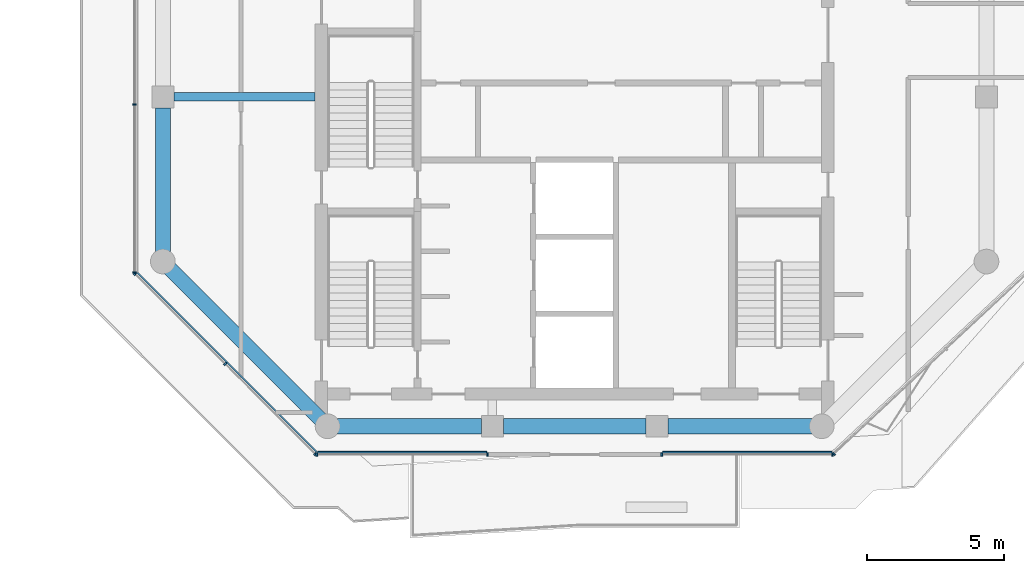
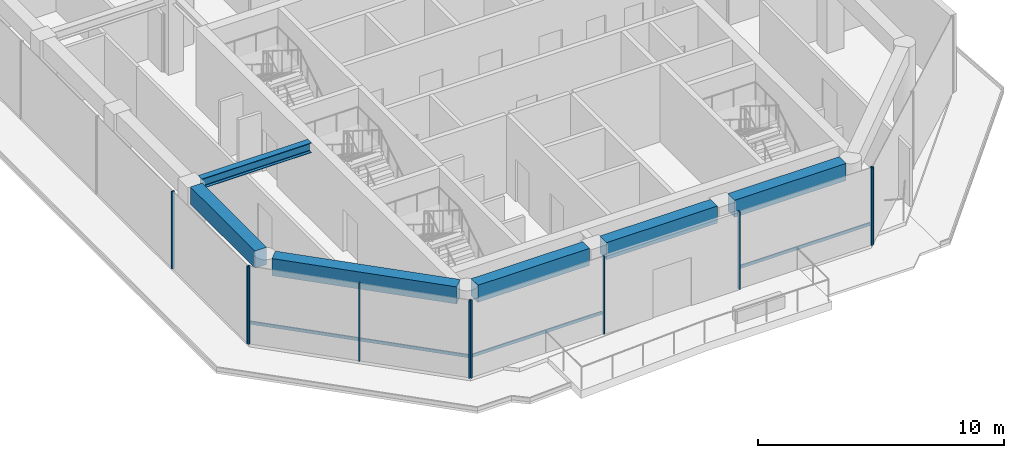
# One storey, part 2 of 21: 13 members, 6 beams, 5 elements without a shape of their own.
"""IFC4 building model written with IfcOpenShell, lengths in metres."""

from ifc_helpers import new_model, si_unit, direction, frame, origin, origin_2d, place, context, subcontext, project, spatial, rectangle, i_section, extrude, material, layer, layer_set, material_profile, profile_set, type_object, element, aggregate, save


model = new_model("IFC4")

# Units and contexts
model_context = context("Model", 3, precision=1e-05, world=origin(), true_north=direction((0.0, 1.0)))
body_context = subcontext(model_context, "Body", "Model", "MODEL_VIEW")
ifc_project = project(units=[si_unit("LENGTHUNIT", "METRE"), si_unit("AREAUNIT", "SQUARE_METRE"), si_unit("VOLUMEUNIT", "CUBIC_METRE"), si_unit("PLANEANGLEUNIT", "RADIAN"), si_unit("MASSUNIT", "GRAM", prefix="KILO")], contexts=[model_context])

# Site, building, storey
site_placement = place(None, origin())
site = spatial("IfcSite", under=ifc_project, at=site_placement, CompositionType="ELEMENT")
building_placement = place(site_placement, origin())
building = spatial("IfcBuilding", under=site, at=building_placement, Name="Welwitschia Terrace Campus", CompositionType="ELEMENT")
storey_placement = place(building_placement, frame((0.0, 0.0, 213.800048828125)))
storey = spatial("IfcBuildingStorey", under=building, at=storey_placement, Name="L47", CompositionType="ELEMENT", Elevation=213.800048828125)

# Curtain wall, members
ifc_material_1 = material(Name="Bronze anodised aluminium", Category="aluminium")
ifc_layer = layer(ifc_material_1, 0.1201171875)
ifc_layer_set = layer_set([ifc_layer], Name="Bronze anodised aluminium")
curtain_wall_type = type_object("IfcCurtainWallType", Name="Curtain wall CW2 tower 6000", PredefinedType="NOTDEFINED", material=ifc_layer_set)
curtain_wall_1_placement = place(storey_placement, origin())
curtain_wall_1 = element("IfcCurtainWall", 1, at=curtain_wall_1_placement, inside=storey, type_object=curtain_wall_type, Name="CW L47.0.0", PredefinedType="NOTDEFINED")
ifc_material_2 = material(Name="Bronze anodised aluminium", Category="aluminium")
ifc_material_profile_1 = material_profile(ifc_material_2, rectangle(XDim=0.1201171875, YDim=0.06005859375, at=origin_2d()))
ifc_profile_set_1 = profile_set([ifc_material_profile_1], Name="Bronze anodised aluminium")
member_type_1 = type_object("IfcMemberType", Name="Mullion 60x120", PredefinedType="MULLION", material=ifc_profile_set_1)
member_1_placement = place(storey_placement, frame((-1.0087890625, 9.55224609375, 0.0), z_axis=(0.0, 0.0, 1.0), x_axis=(0.707106781187, 0.707106781187, 0.0)))
member_1 = element("IfcMember", 2, at=member_1_placement, type_object=member_type_1, Name="Mullion L47.0.0.0", PredefinedType="MULLION", context=body_context, shape_type="SweptSolid", body=[
    extrude(rectangle(XDim=0.1201171875, YDim=0.06005859375, at=origin_2d()), origin(), (0.0, 0.0, 1.0), 3.849853515625),
])
member_2_placement = place(storey_placement, frame((2.271728515625, 6.271728515625, 0.0), z_axis=(0.0, 0.0, 1.0), x_axis=(0.707106781187, 0.707106781187, 0.0)))
member_2 = element("IfcMember", 3, at=member_2_placement, type_object=member_type_1, Name="Mullion L47.0.0.1", PredefinedType="MULLION", context=body_context, shape_type="SweptSolid", body=[
    extrude(rectangle(XDim=0.1201171875, YDim=0.06005859375, at=origin_2d()), origin(), (0.0, 0.0, 1.0), 3.849853515625),
])
member_3_placement = place(storey_placement, frame((5.55224609375, 2.9912109375, 0.0), z_axis=(0.0, 0.0, 1.0), x_axis=(0.707106781187, 0.707106781187, 0.0)))
member_3 = element("IfcMember", 4, at=member_3_placement, type_object=member_type_1, Name="Mullion L47.0.0.2", PredefinedType="MULLION", context=body_context, shape_type="SweptSolid", body=[
    extrude(rectangle(XDim=0.1201171875, YDim=0.06005859375, at=origin_2d()), origin(), (0.0, 0.0, 1.0), 3.849853515625),
])

curtain_wall_2_placement = place(storey_placement, origin())
curtain_wall_2 = element("IfcCurtainWall", 5, at=curtain_wall_2_placement, inside=storey, type_object=curtain_wall_type, Name="CW L47.1.0", PredefinedType="NOTDEFINED")
member_4_placement = place(storey_placement, frame((5.603271484375, 2.969970703125, 0.0), z_axis=(0.0, 0.0, 1.0), x_axis=(0.0, 1.0, 0.0)))
member_4 = element("IfcMember", 6, at=member_4_placement, type_object=member_type_1, Name="Mullion L47.1.0.0", PredefinedType="MULLION", context=body_context, shape_type="SweptSolid", body=[
    extrude(rectangle(XDim=0.1201171875, YDim=0.06005859375, at=origin_2d()), origin(), (0.0, 0.0, 1.0), 3.849853515625),
])
member_5_placement = place(storey_placement, frame((11.827880859375, 2.969970703125, 0.0), z_axis=(0.0, 0.0, 1.0), x_axis=(0.0, 1.0, 0.0)))
member_5 = element("IfcMember", 7, at=member_5_placement, type_object=member_type_1, Name="Mullion L47.1.0.1", PredefinedType="MULLION", context=body_context, shape_type="SweptSolid", body=[
    extrude(rectangle(XDim=0.1201171875, YDim=0.06005859375, at=origin_2d()), origin(), (0.0, 0.0, 1.0), 3.849853515625),
])

curtain_wall_3_placement = place(storey_placement, origin())
curtain_wall_3 = element("IfcCurtainWall", 8, at=curtain_wall_3_placement, inside=storey, type_object=curtain_wall_type, Name="CW L47.1.2", PredefinedType="NOTDEFINED")
member_6_placement = place(storey_placement, frame((18.172119140625, 2.969970703125, 0.0), z_axis=(0.0, 0.0, 1.0), x_axis=(0.0, 1.0, 0.0)))
member_6 = element("IfcMember", 9, at=member_6_placement, type_object=member_type_1, Name="Mullion L47.1.2.0", PredefinedType="MULLION", context=body_context, shape_type="SweptSolid", body=[
    extrude(rectangle(XDim=0.1201171875, YDim=0.06005859375, at=origin_2d()), origin(), (0.0, 0.0, 1.0), 3.849853515625),
])
member_7_placement = place(storey_placement, frame((24.396728515625, 2.969970703125, 0.0), z_axis=(0.0, 0.0, 1.0), x_axis=(0.0, 1.0, 0.0)))
member_7 = element("IfcMember", 10, at=member_7_placement, type_object=member_type_1, Name="Mullion L47.1.2.1", PredefinedType="MULLION", context=body_context, shape_type="SweptSolid", body=[
    extrude(rectangle(XDim=0.1201171875, YDim=0.06005859375, at=origin_2d()), origin(), (0.0, 0.0, 1.0), 3.849853515625),
])

# Curtain wall, member
curtain_wall_4_placement = place(storey_placement, origin())
curtain_wall_4 = element("IfcCurtainWall", 11, at=curtain_wall_4_placement, inside=storey, type_object=curtain_wall_type, Name="CW L47.2.0", PredefinedType="NOTDEFINED")
member_8_placement = place(storey_placement, frame((24.448486328125, 2.990478515625, 0.0), z_axis=(0.0, 0.0, 1.0), x_axis=(-0.68390177044, 0.729574100684, 0.0)))
member_8 = element("IfcMember", 12, at=member_8_placement, type_object=member_type_1, Name="Mullion L47.2.0.0", PredefinedType="MULLION", context=body_context, shape_type="SweptSolid", body=[
    extrude(rectangle(XDim=0.1201171875, YDim=0.06005859375, at=origin_2d()), origin(), (0.0, 0.0, 1.0), 3.849853515625),
])
aggregate(curtain_wall_4, [member_8])

# Curtain wall, members
curtain_wall_5_placement = place(storey_placement, origin())
curtain_wall_5 = element("IfcCurtainWall", 13, at=curtain_wall_5_placement, inside=storey, type_object=curtain_wall_type, Name="CW L47.8.0", PredefinedType="NOTDEFINED")
member_9_placement = place(storey_placement, frame((-1.030029296875, 15.718994140625, 0.0), z_axis=(0.0, 0.0, 1.0), x_axis=(1.0, 0.0, 0.0)))
member_9 = element("IfcMember", 14, at=member_9_placement, type_object=member_type_1, Name="Mullion L47.8.0.9", PredefinedType="MULLION", context=body_context, shape_type="SweptSolid", body=[
    extrude(rectangle(XDim=0.1201171875, YDim=0.06005859375, at=origin_2d()), origin(), (0.0, 0.0, 1.0), 3.849853515625),
])
member_10_placement = place(storey_placement, frame((-1.030029296875, 9.603271484375, 0.0), z_axis=(0.0, 0.0, 1.0), x_axis=(1.0, 0.0, 0.0)))
member_10 = element("IfcMember", 15, at=member_10_placement, type_object=member_type_1, Name="Mullion L47.8.0.10", PredefinedType="MULLION", context=body_context, shape_type="SweptSolid", body=[
    extrude(rectangle(XDim=0.1201171875, YDim=0.06005859375, at=origin_2d()), origin(), (0.0, 0.0, 1.0), 3.849853515625),
])
aggregate(curtain_wall_5, [member_9, member_10])

# Beams
ifc_material_3 = material(Name="Steel S355", Category="steel")
ifc_material_profile_2 = material_profile(ifc_material_3, i_section(OverallWidth=0.300048828125, OverallDepth=0.489990234375, WebThickness=0.011962890625, FlangeThickness=0.02294921875, FilletRadius=0.027099609375, at=origin_2d()))
ifc_profile_set_2 = profile_set([ifc_material_profile_2], Name="Steel S355")
beam_type_1 = type_object("IfcBeamType", Name="Primary beam HE 500 A", PredefinedType="BEAM", material=ifc_profile_set_2)
beam_1_placement = place(storey_placement, frame((0.400390625, 16.0, 3.60498046875), z_axis=(1.0, 0.0, 0.0), x_axis=(0.0, 1.0, 0.0)))
element("IfcBeam", 16, at=beam_1_placement, inside=storey, type_object=beam_type_1, Name="Primary beam PB5", PredefinedType="BEAM", context=body_context, shape_type="SweptSolid", body=[
    extrude(i_section(OverallWidth=0.300048828125, OverallDepth=0.489990234375, WebThickness=0.011962890625, FlangeThickness=0.02294921875, FilletRadius=0.027099609375, at=origin_2d()), origin(), (0.0, 0.0, 1.0), 5.149658203125),
])
ifc_material_4 = material(Name="Concrete C50/60", Category="concrete")
ifc_material_profile_3 = material_profile(ifc_material_4, rectangle(XDim=0.550048828125, YDim=0.85009765625, at=origin_2d()))
ifc_profile_set_3 = profile_set([ifc_material_profile_3], Name="Concrete C50/60")
beam_type_2 = type_object("IfcBeamType", Name="Ring spandrel 550x850", PredefinedType="SPANDREL", material=ifc_profile_set_3)
beam_2_placement = place(storey_placement, frame((0.25244140625, 9.74755859375, 3.425048828125), z_axis=(0.707106781187, -0.707106781187, 0.0), x_axis=(0.707106781187, 0.707106781187, 0.0)))
element("IfcBeam", 17, at=beam_2_placement, inside=storey, type_object=beam_type_2, Name="Spandrel SP3", PredefinedType="SPANDREL", context=body_context, shape_type="SweptSolid", body=[
    extrude(rectangle(XDim=0.550048828125, YDim=0.85009765625, at=origin_2d()), origin(), (0.0, 0.0, 1.0), 7.771240234375),
])
beam_3_placement = place(storey_placement, frame((6.35693359375, 4.0, 3.425048828125), z_axis=(1.0, 0.0, 0.0), x_axis=(0.0, 1.0, 0.0)))
element("IfcBeam", 18, at=beam_3_placement, inside=storey, type_object=beam_type_2, Name="Spandrel SP3", PredefinedType="SPANDREL", context=body_context, shape_type="SweptSolid", body=[
    extrude(rectangle(XDim=0.550048828125, YDim=0.85009765625, at=origin_2d()), origin(), (0.0, 0.0, 1.0), 5.24267578125),
])
beam_4_placement = place(storey_placement, frame((12.400390625, 4.0, 3.425048828125), z_axis=(1.0, 0.0, 0.0), x_axis=(0.0, 1.0, 0.0)))
element("IfcBeam", 19, at=beam_4_placement, inside=storey, type_object=beam_type_2, Name="Spandrel SP3", PredefinedType="SPANDREL", context=body_context, shape_type="SweptSolid", body=[
    extrude(rectangle(XDim=0.550048828125, YDim=0.85009765625, at=origin_2d()), origin(), (0.0, 0.0, 1.0), 5.19921875),
])
for number, where, z_axis, x_axis, name in (
    (20, (18.400390625, 4.0, 3.425048828125), (1.0, 0.0, 0.0), (0.0, 1.0, 0.0), "Spandrel SP3"),
    (21, (0.0, 15.599609375, 3.425048828125), (0.0, -1.0, 0.0), (1.0, 0.0, 0.0), "Spandrel SP3"),
):
    element("IfcBeam", number, at=place(storey_placement, frame(where, z_axis=z_axis, x_axis=x_axis)), inside=storey, type_object=beam_type_2, Name=name, PredefinedType="SPANDREL", context=body_context, shape_type="SweptSolid", body=[
        extrude(rectangle(XDim=0.550048828125, YDim=0.85009765625, at=origin_2d()), origin(), (0.0, 0.0, 1.0), 5.24267578125),
    ])

# Member
ifc_material_5 = material(Name="Bronze anodised aluminium", Category="aluminium")
ifc_material_profile_4 = material_profile(ifc_material_5, rectangle(XDim=0.06005859375, YDim=0.14990234375, at=origin_2d()))
ifc_profile_set_4 = profile_set([ifc_material_profile_4], Name="Bronze anodised aluminium")
member_type_2 = type_object("IfcMemberType", Name="Transom 60x150", PredefinedType="USERDEFINED", material=ifc_profile_set_4)
member_11_placement = place(storey_placement, frame((-0.923828125, 9.594482421875, 1.0), z_axis=(0.707106781187, -0.707106781187, 0.0), x_axis=(0.707106781187, 0.707106781187, 0.0)))
member_11 = element("IfcMember", 22, at=member_11_placement, type_object=member_type_2, Name="Transom L47.0.0", ObjectType="TRANSOM", PredefinedType="USERDEFINED", context=body_context, shape_type="SweptSolid", body=[
    extrude(rectangle(XDim=0.06005859375, YDim=0.14990234375, at=origin_2d()), origin(), (0.0, 0.0, 1.0), 9.21826171875),
])

aggregate(curtain_wall_1, [member_1, member_2, member_3, member_11])

member_12_placement = place(storey_placement, frame((5.63330078125, 3.06005859375, 1.0), z_axis=(1.0, 0.0, 0.0), x_axis=(0.0, 1.0, 0.0)))
member_12 = element("IfcMember", 23, at=member_12_placement, type_object=member_type_2, Name="Transom L47.1.0", ObjectType="TRANSOM", PredefinedType="USERDEFINED", context=body_context, shape_type="SweptSolid", body=[
    extrude(rectangle(XDim=0.06005859375, YDim=0.14990234375, at=origin_2d()), origin(), (0.0, 0.0, 1.0), 6.16455078125),
])

aggregate(curtain_wall_2, [member_4, member_5, member_12])

member_13_placement = place(storey_placement, frame((18.2021484375, 3.06005859375, 1.0), z_axis=(1.0, 0.0, 0.0), x_axis=(0.0, 1.0, 0.0)))
member_13 = element("IfcMember", 24, at=member_13_placement, type_object=member_type_2, Name="Transom L47.1.2", ObjectType="TRANSOM", PredefinedType="USERDEFINED", context=body_context, shape_type="SweptSolid", body=[
    extrude(rectangle(XDim=0.06005859375, YDim=0.14990234375, at=origin_2d()), origin(), (0.0, 0.0, 1.0), 6.16455078125),
])

aggregate(curtain_wall_3, [member_6, member_7, member_13])

save(model, "model.ifc")
